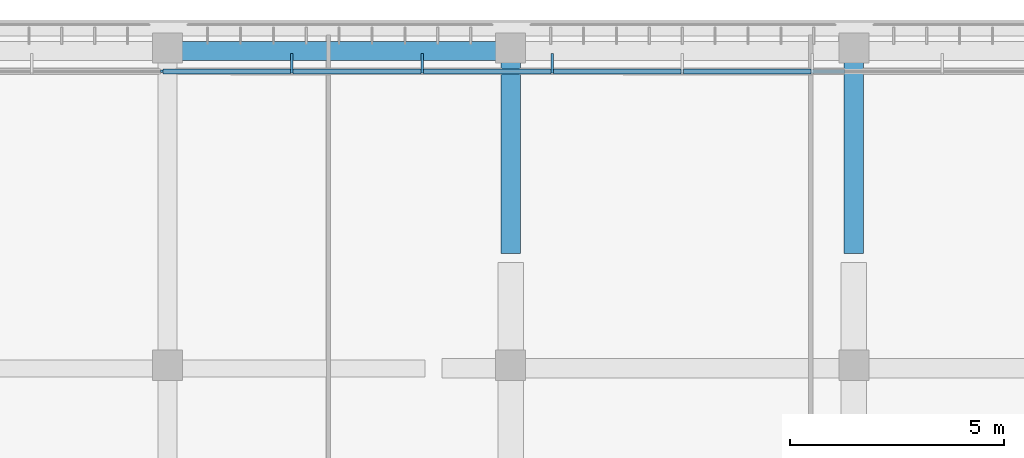
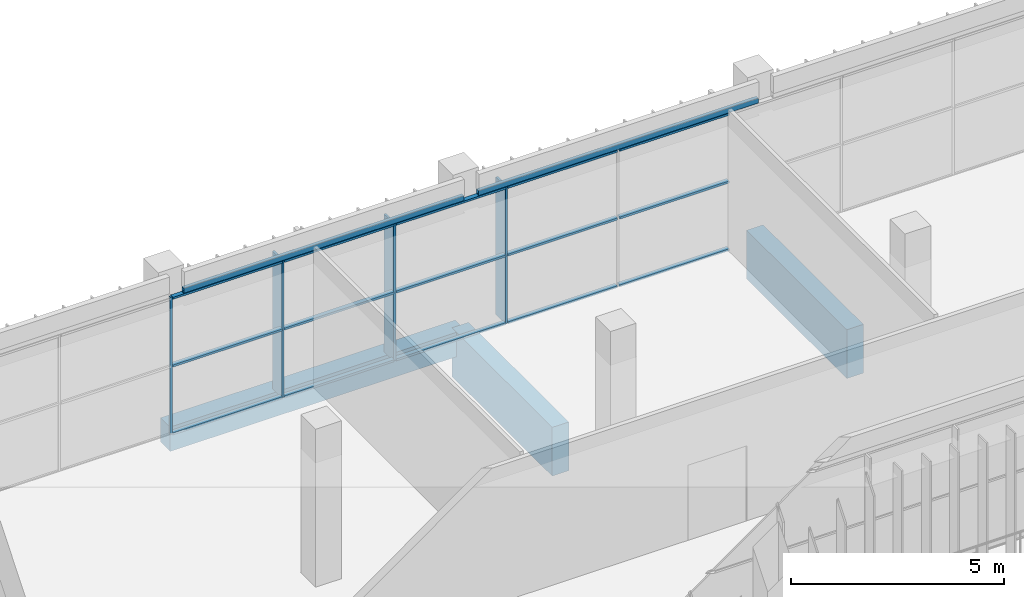
# One storey, part 24 of 73: 19 members, 5 beams, 1 element without a shape of its own.
"""IFC4 building model written with IfcOpenShell, lengths in metres."""

from ifc_helpers import new_model, si_unit, direction, frame, origin, origin_2d, place, context, subcontext, project, spatial, rectangle, hollow_rectangle, extrude, material, material_profile, profile_set, type_object, element, aggregate, save


model = new_model("IFC4")

# Units and contexts
model_context = context("Model", 3, precision=1e-05, world=origin(), true_north=direction((0.0, 1.0)))
body_context = subcontext(model_context, "Body", "Model", "MODEL_VIEW")
ifc_project = project(units=[si_unit("LENGTHUNIT", "METRE"), si_unit("AREAUNIT", "SQUARE_METRE"), si_unit("VOLUMEUNIT", "CUBIC_METRE"), si_unit("PLANEANGLEUNIT", "RADIAN"), si_unit("MASSUNIT", "GRAM", prefix="KILO")], contexts=[model_context])

# Site, building, storey
site_placement = place(None, origin())
site = spatial("IfcSite", under=ifc_project, at=site_placement, CompositionType="ELEMENT")
building_placement = place(site_placement, origin())
building = spatial("IfcBuilding", under=site, at=building_placement, Name="Lantern Court Media Centre", CompositionType="ELEMENT")
storey_placement = place(building_placement, frame((0.0, 0.0, 24.0)))
storey = spatial("IfcBuildingStorey", under=building, at=storey_placement, Name="L05", CompositionType="ELEMENT", Elevation=24.0)

# Curtain wall, members
ifc_material_1 = material(Name="Curtain wall bay 3000")
curtain_wall_type = type_object("IfcCurtainWallType", Name="Curtain wall bay 3000", PredefinedType="NOTDEFINED", material=ifc_material_1)
curtain_wall_placement = place(storey_placement, origin())
curtain_wall = element("IfcCurtainWall", 1, at=curtain_wall_placement, inside=storey, type_object=curtain_wall_type, Name="Curtain wall N outer L05", PredefinedType="NOTDEFINED")
ifc_material_2 = material(Name="Anodised aluminium", Category="aluminium")
ifc_material_profile_1 = material_profile(ifc_material_2, rectangle(XDim=0.449951171875, YDim=0.06005859375, at=origin_2d()), Name="AL 60x450")
ifc_profile_set_1 = profile_set([ifc_material_profile_1], Name="Anodised aluminium")
member_type_1 = type_object("IfcMemberType", Name="Curtain wall mullion 60x450", PredefinedType="MULLION", material=ifc_profile_set_1)
member_1_placement = place(storey_placement, frame((42.89990234375, 116.044921875, 0.0), z_axis=(0.0, 0.0, 1.0), x_axis=(0.0, 1.0, 0.0)))
member_1 = element("IfcMember", 2, at=member_1_placement, type_object=member_type_1, Name="CW1 mullion 7", PredefinedType="MULLION", context=body_context, shape_type="SweptSolid", body=[
    extrude(rectangle(XDim=0.449951171875, YDim=0.06005859375, at=origin_2d()), origin(), (0.0, 0.0, 1.0), 3.949951171875),
])
member_2_placement = place(storey_placement, frame((45.933349609375, 116.044921875, 0.0), z_axis=(0.0, 0.0, 1.0), x_axis=(0.0, 1.0, 0.0)))
member_2 = element("IfcMember", 3, at=member_2_placement, type_object=member_type_1, Name="CW1 mullion 8", PredefinedType="MULLION", context=body_context, shape_type="SweptSolid", body=[
    extrude(rectangle(XDim=0.449951171875, YDim=0.06005859375, at=origin_2d()), origin(), (0.0, 0.0, 1.0), 3.949951171875),
])
member_3_placement = place(storey_placement, frame((48.966552734375, 116.044921875, 0.0), z_axis=(0.0, 0.0, 1.0), x_axis=(0.0, 1.0, 0.0)))
member_3 = element("IfcMember", 4, at=member_3_placement, type_object=member_type_1, Name="CW1 mullion 9", PredefinedType="MULLION", context=body_context, shape_type="SweptSolid", body=[
    extrude(rectangle(XDim=0.449951171875, YDim=0.06005859375, at=origin_2d()), origin(), (0.0, 0.0, 1.0), 3.949951171875),
])
ifc_material_profile_2 = material_profile(ifc_material_2, rectangle(XDim=0.06005859375, YDim=0.06005859375, at=origin_2d()), Name="AL 60x60")
ifc_profile_set_2 = profile_set([ifc_material_profile_2], Name="Anodised aluminium")
member_type_2 = type_object("IfcMemberType", Name="Curtain wall mullion 60x60", PredefinedType="MULLION", material=ifc_profile_set_2)
member_4_placement = place(storey_placement, frame((39.86669921875, 115.85009765625, 0.0), z_axis=(0.0, 0.0, 1.0), x_axis=(0.0, 1.0, 0.0)))
member_4 = element("IfcMember", 5, at=member_4_placement, type_object=member_type_2, Name="CW1 mullion 6", PredefinedType="MULLION", context=body_context, shape_type="SweptSolid", body=[
    extrude(rectangle(XDim=0.06005859375, YDim=0.06005859375, at=origin_2d()), origin(), (0.0, 0.0, 1.0), 3.949951171875),
])
ifc_material_profile_3 = material_profile(ifc_material_2, rectangle(XDim=0.1201171875, YDim=0.06005859375, at=origin_2d()), Name="AL 60x120")
ifc_profile_set_3 = profile_set([ifc_material_profile_3], Name="Anodised aluminium")
member_type_3 = type_object("IfcMemberType", Name="Curtain wall transom 60x120", PredefinedType="USERDEFINED", material=ifc_profile_set_3)
member_5_placement = place(storey_placement, frame((39.896728515625, 115.85009765625, 0.030029296875), z_axis=(1.0, 0.0, 0.0), x_axis=(0.0, 1.0, 0.0)))
member_5 = element("IfcMember", 6, at=member_5_placement, type_object=member_type_3, Name="CW1 transom 6.1", ObjectType="TRANSOM", PredefinedType="USERDEFINED", context=body_context, shape_type="SweptSolid", body=[
    extrude(rectangle(XDim=0.1201171875, YDim=0.06005859375, at=origin_2d()), origin(), (0.0, 0.0, 1.0), 2.973388671875),
])
member_6_placement = place(storey_placement, frame((39.896728515625, 115.85009765625, 1.97509765625), z_axis=(1.0, 0.0, 0.0), x_axis=(0.0, 1.0, 0.0)))
member_6 = element("IfcMember", 7, at=member_6_placement, type_object=member_type_3, Name="CW1 transom 6.2", ObjectType="TRANSOM", PredefinedType="USERDEFINED", context=body_context, shape_type="SweptSolid", body=[
    extrude(rectangle(XDim=0.1201171875, YDim=0.06005859375, at=origin_2d()), origin(), (0.0, 0.0, 1.0), 2.973388671875),
])
member_7_placement = place(storey_placement, frame((39.896728515625, 115.85009765625, 3.919921875), z_axis=(1.0, 0.0, 0.0), x_axis=(0.0, 1.0, 0.0)))
member_7 = element("IfcMember", 8, at=member_7_placement, type_object=member_type_3, Name="CW1 transom 6.3", ObjectType="TRANSOM", PredefinedType="USERDEFINED", context=body_context, shape_type="SweptSolid", body=[
    extrude(rectangle(XDim=0.1201171875, YDim=0.06005859375, at=origin_2d()), origin(), (0.0, 0.0, 1.0), 2.973388671875),
])
member_8_placement = place(storey_placement, frame((42.929931640625, 115.85009765625, 0.030029296875), z_axis=(1.0, 0.0, 0.0), x_axis=(0.0, 1.0, 0.0)))
member_8 = element("IfcMember", 9, at=member_8_placement, type_object=member_type_3, Name="CW1 transom 7.1", ObjectType="TRANSOM", PredefinedType="USERDEFINED", context=body_context, shape_type="SweptSolid", body=[
    extrude(rectangle(XDim=0.1201171875, YDim=0.06005859375, at=origin_2d()), origin(), (0.0, 0.0, 1.0), 2.973388671875),
])
member_9_placement = place(storey_placement, frame((42.929931640625, 115.85009765625, 1.97509765625), z_axis=(1.0, 0.0, 0.0), x_axis=(0.0, 1.0, 0.0)))
member_9 = element("IfcMember", 10, at=member_9_placement, type_object=member_type_3, Name="CW1 transom 7.2", ObjectType="TRANSOM", PredefinedType="USERDEFINED", context=body_context, shape_type="SweptSolid", body=[
    extrude(rectangle(XDim=0.1201171875, YDim=0.06005859375, at=origin_2d()), origin(), (0.0, 0.0, 1.0), 2.973388671875),
])
member_10_placement = place(storey_placement, frame((42.929931640625, 115.85009765625, 3.919921875), z_axis=(1.0, 0.0, 0.0), x_axis=(0.0, 1.0, 0.0)))
member_10 = element("IfcMember", 11, at=member_10_placement, type_object=member_type_3, Name="CW1 transom 7.3", ObjectType="TRANSOM", PredefinedType="USERDEFINED", context=body_context, shape_type="SweptSolid", body=[
    extrude(rectangle(XDim=0.1201171875, YDim=0.06005859375, at=origin_2d()), origin(), (0.0, 0.0, 1.0), 2.973388671875),
])
member_11_placement = place(storey_placement, frame((45.96337890625, 115.85009765625, 0.030029296875), z_axis=(1.0, 0.0, 0.0), x_axis=(0.0, 1.0, 0.0)))
member_11 = element("IfcMember", 12, at=member_11_placement, type_object=member_type_3, Name="CW1 transom 8.1", ObjectType="TRANSOM", PredefinedType="USERDEFINED", context=body_context, shape_type="SweptSolid", body=[
    extrude(rectangle(XDim=0.1201171875, YDim=0.06005859375, at=origin_2d()), origin(), (0.0, 0.0, 1.0), 2.973388671875),
])
member_12_placement = place(storey_placement, frame((45.96337890625, 115.85009765625, 1.97509765625), z_axis=(1.0, 0.0, 0.0), x_axis=(0.0, 1.0, 0.0)))
member_12 = element("IfcMember", 13, at=member_12_placement, type_object=member_type_3, Name="CW1 transom 8.2", ObjectType="TRANSOM", PredefinedType="USERDEFINED", context=body_context, shape_type="SweptSolid", body=[
    extrude(rectangle(XDim=0.1201171875, YDim=0.06005859375, at=origin_2d()), origin(), (0.0, 0.0, 1.0), 2.973388671875),
])
member_13_placement = place(storey_placement, frame((45.96337890625, 115.85009765625, 3.919921875), z_axis=(1.0, 0.0, 0.0), x_axis=(0.0, 1.0, 0.0)))
member_13 = element("IfcMember", 14, at=member_13_placement, type_object=member_type_3, Name="CW1 transom 8.3", ObjectType="TRANSOM", PredefinedType="USERDEFINED", context=body_context, shape_type="SweptSolid", body=[
    extrude(rectangle(XDim=0.1201171875, YDim=0.06005859375, at=origin_2d()), origin(), (0.0, 0.0, 1.0), 2.973388671875),
])
member_14_placement = place(storey_placement, frame((48.99658203125, 115.85009765625, 0.030029296875), z_axis=(1.0, 0.0, 0.0), x_axis=(0.0, 1.0, 0.0)))
member_14 = element("IfcMember", 15, at=member_14_placement, type_object=member_type_3, Name="CW1 transom 9.1", ObjectType="TRANSOM", PredefinedType="USERDEFINED", context=body_context, shape_type="SweptSolid", body=[
    extrude(rectangle(XDim=0.1201171875, YDim=0.06005859375, at=origin_2d()), origin(), (0.0, 0.0, 1.0), 2.973388671875),
])
member_15_placement = place(storey_placement, frame((48.99658203125, 115.85009765625, 1.97509765625), z_axis=(1.0, 0.0, 0.0), x_axis=(0.0, 1.0, 0.0)))
member_15 = element("IfcMember", 16, at=member_15_placement, type_object=member_type_3, Name="CW1 transom 9.2", ObjectType="TRANSOM", PredefinedType="USERDEFINED", context=body_context, shape_type="SweptSolid", body=[
    extrude(rectangle(XDim=0.1201171875, YDim=0.06005859375, at=origin_2d()), origin(), (0.0, 0.0, 1.0), 2.973388671875),
])
member_16_placement = place(storey_placement, frame((48.99658203125, 115.85009765625, 3.919921875), z_axis=(1.0, 0.0, 0.0), x_axis=(0.0, 1.0, 0.0)))
member_16 = element("IfcMember", 17, at=member_16_placement, type_object=member_type_3, Name="CW1 transom 9.3", ObjectType="TRANSOM", PredefinedType="USERDEFINED", context=body_context, shape_type="SweptSolid", body=[
    extrude(rectangle(XDim=0.1201171875, YDim=0.06005859375, at=origin_2d()), origin(), (0.0, 0.0, 1.0), 2.973388671875),
])
member_17_placement = place(storey_placement, frame((52.030029296875, 115.85009765625, 0.030029296875), z_axis=(1.0, 0.0, 0.0), x_axis=(0.0, 1.0, 0.0)))
member_17 = element("IfcMember", 18, at=member_17_placement, type_object=member_type_3, Name="CW1 transom 10.1", ObjectType="TRANSOM", PredefinedType="USERDEFINED", context=body_context, shape_type="SweptSolid", body=[
    extrude(rectangle(XDim=0.1201171875, YDim=0.06005859375, at=origin_2d()), origin(), (0.0, 0.0, 1.0), 2.973388671875),
])
member_18_placement = place(storey_placement, frame((52.030029296875, 115.85009765625, 1.97509765625), z_axis=(1.0, 0.0, 0.0), x_axis=(0.0, 1.0, 0.0)))
member_18 = element("IfcMember", 19, at=member_18_placement, type_object=member_type_3, Name="CW1 transom 10.2", ObjectType="TRANSOM", PredefinedType="USERDEFINED", context=body_context, shape_type="SweptSolid", body=[
    extrude(rectangle(XDim=0.1201171875, YDim=0.06005859375, at=origin_2d()), origin(), (0.0, 0.0, 1.0), 2.973388671875),
])
member_19_placement = place(storey_placement, frame((52.030029296875, 115.85009765625, 3.919921875), z_axis=(1.0, 0.0, 0.0), x_axis=(0.0, 1.0, 0.0)))
member_19 = element("IfcMember", 20, at=member_19_placement, type_object=member_type_3, Name="CW1 transom 10.3", ObjectType="TRANSOM", PredefinedType="USERDEFINED", context=body_context, shape_type="SweptSolid", body=[
    extrude(rectangle(XDim=0.1201171875, YDim=0.06005859375, at=origin_2d()), origin(), (0.0, 0.0, 1.0), 2.973388671875),
])
aggregate(curtain_wall, [member_4, member_1, member_2, member_3, member_5, member_6, member_7, member_8, member_9, member_10, member_11, member_12, member_13, member_14, member_15, member_16, member_17, member_18, member_19])

# Beams
ifc_material_3 = material(Name="Steel S355J2 (EN 10025-2)", Category="steel")
ifc_material_profile_4 = material_profile(ifc_material_3, hollow_rectangle(XDim=0.10009765625, YDim=0.14990234375, WallThickness=0.00634765625, InnerFilletRadius=0.00634765625, OuterFilletRadius=0.009521484375, at=origin_2d()), Name="Facade head lintel RHS 150x100x6.3")
ifc_profile_set_4 = profile_set([ifc_material_profile_4], Name="Steel S355J2 (EN 10025-2)")
beam_type_1 = type_object("IfcBeamType", Name="Facade head lintel RHS 150x100x6.3", PredefinedType="BEAM", material=ifc_profile_set_4)
for number, where, z_axis, x_axis, name in (
    (21, (40.199951171875, 115.85009765625, 4.02490234375), (1.0, 0.0, 0.0), (0.0, 1.0, 0.0), "Facade head lintel N L05"),
    (22, (48.199951171875, 115.85009765625, 4.02490234375), (1.0, 0.0, 0.0), (0.0, 1.0, 0.0), "Facade head lintel N L05"),
):
    element("IfcBeam", number, at=place(storey_placement, frame(where, z_axis=z_axis, x_axis=x_axis)), inside=storey, type_object=beam_type_1, Name=name, PredefinedType="BEAM", context=body_context, shape_type="SweptSolid", body=[
        extrude(hollow_rectangle(XDim=0.10009765625, YDim=0.14990234375, WallThickness=0.00634765625, InnerFilletRadius=0.00634765625, OuterFilletRadius=0.009521484375, at=origin_2d()), origin(), (0.0, 0.0, 1.0), 7.60009765625),
    ])
ifc_material_4 = material(Name="Concrete C35", Category="concrete")
ifc_material_profile_5 = material_profile(ifc_material_4, rectangle(XDim=0.449951171875, YDim=1.39990234375, at=origin_2d()), Name="RC 450x1400")
ifc_profile_set_5 = profile_set([ifc_material_profile_5], Name="Concrete C35")
beam_type_2 = type_object("IfcBeamType", Name="RC BEAM 450x1400", PredefinedType="BEAM", material=ifc_profile_set_5)
for number, where, z_axis, x_axis, name in (
    (23, (48.0, 111.60009765625, -0.699951171875), (0.0, 1.0, 0.0), (-1.0, 0.0, 0.0), "TB-N-L05-3-12"),
    (24, (56.0, 111.60009765625, -0.699951171875), (0.0, 1.0, 0.0), (-1.0, 0.0, 0.0), "TB-N-L05-4-12"),
):
    element("IfcBeam", number, at=place(storey_placement, frame(where, z_axis=z_axis, x_axis=x_axis)), inside=storey, type_object=beam_type_2, Name=name, PredefinedType="BEAM", context=body_context, shape_type="SweptSolid", body=[
        extrude(rectangle(XDim=0.449951171875, YDim=1.39990234375, at=origin_2d()), origin(), (0.0, 0.0, 1.0), 4.716552734375),
    ])
ifc_material_profile_6 = material_profile(ifc_material_4, rectangle(XDim=0.449951171875, YDim=0.699951171875, at=origin_2d()), Name="RC 450x700")
ifc_profile_set_6 = profile_set([ifc_material_profile_6], Name="Concrete C35")
beam_type_3 = type_object("IfcBeamType", Name="RC BEAM 450x700", PredefinedType="BEAM", material=ifc_profile_set_6)
beam_placement = place(storey_placement, frame((40.0, 116.3271484375, -0.35009765625), z_axis=(1.0, 0.0, 0.0), x_axis=(0.0, 1.0, 0.0)))
element("IfcBeam", 25, at=beam_placement, inside=storey, type_object=beam_type_3, Name="LB-N-L05-2-2", PredefinedType="BEAM", context=body_context, shape_type="SweptSolid", body=[
    extrude(rectangle(XDim=0.449951171875, YDim=0.699951171875, at=origin_2d()), origin(), (0.0, 0.0, 1.0), 8.0),
])

save(model, "model.ifc")
